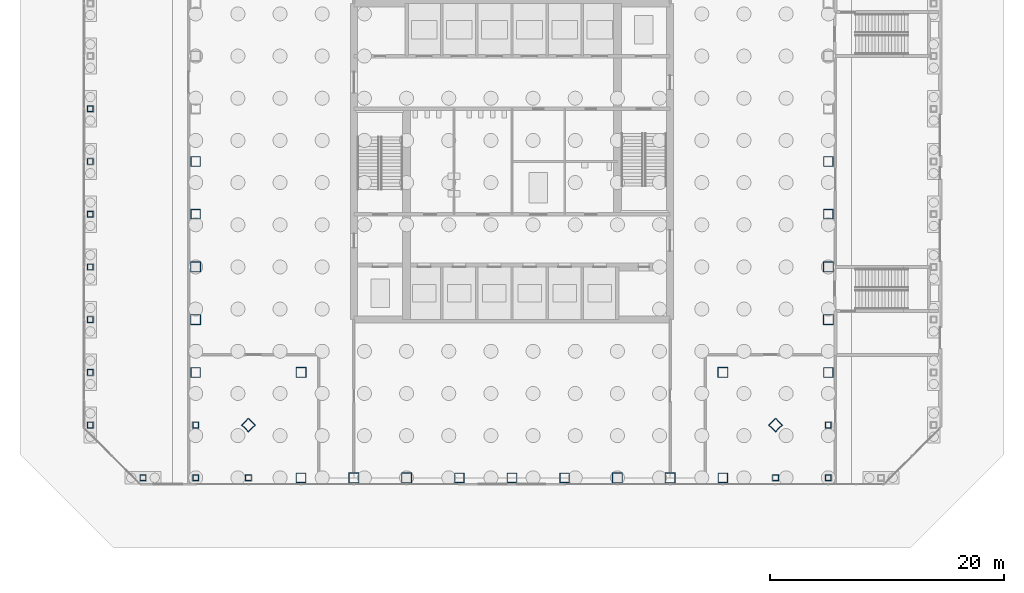
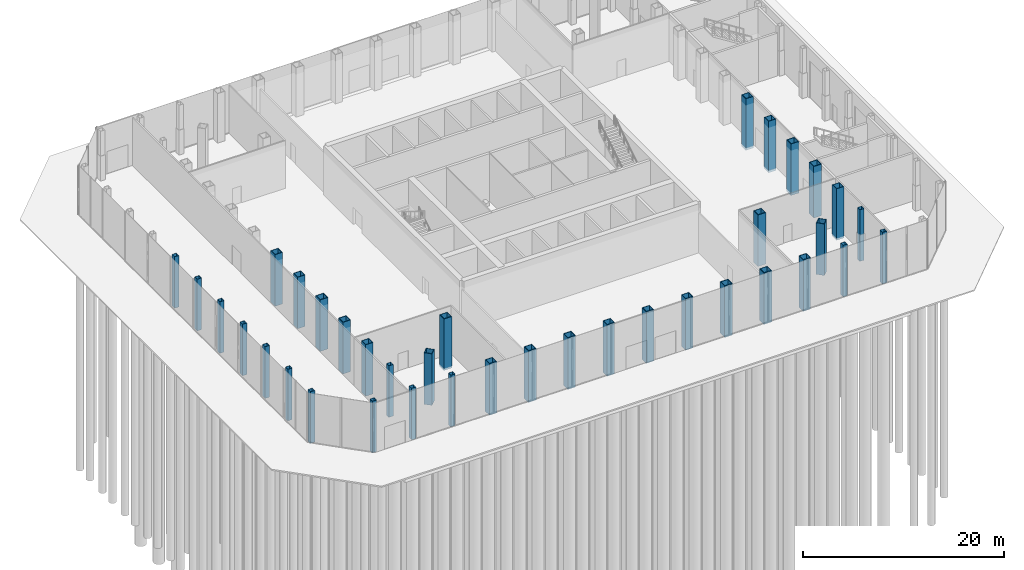
# One storey, part 3 of 24: 37 columns.
"""IFC4 building model written with IfcOpenShell, lengths in metres."""

import ifcopenshell
import ifcopenshell.guid

model = None  # the IFC model being written
_history = None  # IfcOwnerHistory: only IFC2X3 demands one
_inside = {}  # id of a spatial element -> (the spatial element, [elements in it])
_under = {}  # id of a project, library or spatial element -> (it, [spatial elements below it])
_declared = {}  # id of a project -> (the project, [libraries it declares])
_typed = {}  # id of a type object -> (the type object, [elements of that type])
_made_of = {}  # id of a material, layer set ... -> (it, [elements and type objects made of it])


def new_model(schema):
    """Start an empty IFC model of exactly this schema.

    Asked for "IFC4X3", IfcOpenShell would pick the latest addendum, in which some entities
    have other attributes; the version numbers below select the first issue.
    IFC2X3 requires an IfcOwnerHistory on every rooted entity: one is made here for all.
    """
    global model, _history
    if schema == "IFC4X3":
        model = ifcopenshell.file(schema_version=(4, 3, 0, 0))
    else:
        model = ifcopenshell.file(schema=schema)
    _inside.clear()
    _under.clear()
    _declared.clear()
    _typed.clear()
    _made_of.clear()
    _history = None
    if model.schema == "IFC2X3":
        org = make("IfcOrganization", Name="unknown")
        user = make(
            "IfcPersonAndOrganization",
            ThePerson=make("IfcPerson", FamilyName="unknown"),
            TheOrganization=org,
        )
        app = make(
            "IfcApplication",
            ApplicationDeveloper=org,
            Version="unknown",
            ApplicationFullName="unknown",
            ApplicationIdentifier="unknown",
        )
        _history = make(
            "IfcOwnerHistory",
            OwningUser=user,
            OwningApplication=app,
            ChangeAction="ADDED",
            CreationDate=0,
        )
    return model


def make(cls, **values):
    """One entity of the class cls with the attributes given. An attribute that is None is left unset."""
    return model.create_entity(
        cls, **{name: value for name, value in values.items() if value is not None}
    )


def rooted(cls, **values):
    """An entity with a GlobalId (a new one), such as an element, a storey or a relation."""
    return make(cls, GlobalId=ifcopenshell.guid.new(), OwnerHistory=_history, **values)


def si_unit(unit_type, name, prefix=None):
    """IfcSIUnit, for example si_unit("LENGTHUNIT", "METRE", prefix="MILLI")."""
    return make("IfcSIUnit", UnitType=unit_type, Prefix=prefix, Name=name)


def assignment(units):
    """IfcUnitAssignment: the units of a project."""
    return None if units is None else make("IfcUnitAssignment", Units=units)


def point(xyz):
    """IfcCartesianPoint."""
    return None if xyz is None else make("IfcCartesianPoint", Coordinates=xyz)


def direction(xyz):
    """IfcDirection."""
    return None if xyz is None else make("IfcDirection", DirectionRatios=xyz)


def frame(location, z_axis=None, x_axis=None):
    """IfcAxis2Placement3D, a coordinate frame: its origin and axes. An axis left out is left unset."""
    return make(
        "IfcAxis2Placement3D",
        Location=point(location),
        Axis=direction(z_axis),
        RefDirection=direction(x_axis),
    )


def frame_2d(location, x_axis=None):
    """IfcAxis2Placement2D, a coordinate frame in the plane: its origin and x axis."""
    return make(
        "IfcAxis2Placement2D", Location=point(location), RefDirection=direction(x_axis)
    )


def origin():
    """The frame at (0, 0, 0) with its axes left unset."""
    return frame((0.0, 0.0, 0.0))


def origin_2d():
    """The frame at (0, 0) in the plane with its x axis left unset."""
    return frame_2d((0.0, 0.0))


def place(relative_to, where):
    """IfcLocalPlacement: puts the frame where relative to a parent placement (None: the world)."""
    return make(
        "IfcLocalPlacement", PlacementRelTo=relative_to, RelativePlacement=where
    )


def context(
    kind, dimensions, precision=None, world=None, true_north=None, identifier=None
):
    """IfcGeometricRepresentationContext, for example the 3D "Model" context."""
    return make(
        "IfcGeometricRepresentationContext",
        ContextIdentifier=identifier,
        ContextType=kind,
        CoordinateSpaceDimension=dimensions,
        Precision=precision,
        WorldCoordinateSystem=world,
        TrueNorth=true_north,
    )


def subcontext(parent, identifier, kind, view, scale=None):
    """IfcGeometricRepresentationSubContext, for example "Body" below "Model"."""
    return make(
        "IfcGeometricRepresentationSubContext",
        ContextIdentifier=identifier,
        ContextType=kind,
        ParentContext=parent,
        TargetScale=scale,
        TargetView=view,
    )


def project(units=None, contexts=None):
    """IfcProject with its units and contexts."""
    return rooted(
        "IfcProject",
        Name="project",
        RepresentationContexts=contexts,
        UnitsInContext=assignment(units),
    )


def spatial(cls, under=None, at=None, **own):
    """A site, building, storey or space (cls), placed at a placement, below another one or the project."""
    s = rooted(cls, ObjectPlacement=at, **own)
    if under is not None:
        _under.setdefault(under.id(), (under, []))[1].append(s)
    return s


def profile(cls, at=None, kind="AREA", **sizes):
    """A parametric profile (cls). Its sizes go by their IFC names, for example OverallWidth=200.0."""
    return make(cls, ProfileType=kind, Position=at, **sizes)


def hollow_rectangle(**sizes):
    """IfcRectangleHollowProfileDef."""
    return profile("IfcRectangleHollowProfileDef", **sizes)


def extrude(swept, where, along, depth):
    """IfcExtrudedAreaSolid: the profile swept, set in the frame where, extruded along a direction by depth."""
    return make(
        "IfcExtrudedAreaSolid",
        SweptArea=swept,
        Position=where,
        ExtrudedDirection=direction(along),
        Depth=depth,
    )


def shape(context_of_items, identifier, shape_type, items):
    """IfcShapeRepresentation: the items that make up one representation, for example the "Body"."""
    return make(
        "IfcShapeRepresentation",
        ContextOfItems=context_of_items,
        RepresentationIdentifier=identifier,
        RepresentationType=shape_type,
        Items=items,
    )


def material(Name=None, Category=None):
    """IfcMaterial."""
    return make("IfcMaterial", Name=Name, Category=Category)


def material_profile(
    of_material, cross_section, Name=None, Category=None, Priority=None
):
    """IfcMaterialProfile: a cross section and its material."""
    return make(
        "IfcMaterialProfile",
        Name=Name,
        Material=of_material,
        Profile=cross_section,
        Priority=Priority,
        Category=Category,
    )


def profile_set(profiles, Name=None, composite=None):
    """IfcMaterialProfileSet."""
    return make(
        "IfcMaterialProfileSet",
        Name=Name,
        MaterialProfiles=profiles,
        CompositeProfile=composite,
    )


def made_of(thing, what):
    """Note that an element or type object is made of a material, layer set ...; save() writes the relation."""
    if what is not None:
        _made_of.setdefault(what.id(), (what, []))[1].append(thing)
    return thing


def type_object(cls, material=None, **own):
    """A type object (cls), such as IfcWallType, which elements share."""
    return made_of(rooted(cls, **own), material)


def element(
    cls,
    number,
    at=None,
    inside=None,
    cuts=None,
    type_object=None,
    material=None,
    context=None,
    identifier="Body",
    shape_type=None,
    held_by="IfcProductDefinitionShape",
    body=None,
    shapes=None,
    **own,
):
    """One element of the class cls, such as IfcWall. Its Tag is "e" and its number.

    at: its placement. inside: the storey or other place that contains it. cuts: it is an
    opening in that element (IfcRelVoidsElement). A single representation is given by context,
    identifier, shape_type and body (its items); several are given by shapes. held_by: the class
    of the entity that holds the representations. save() writes the other relations.
    """
    e = rooted(cls, Tag="e%d" % number, ObjectPlacement=at, **own)
    if body is not None:
        shapes = [shape(context, identifier, shape_type, body)]
    if shapes is not None:
        e.Representation = make(held_by, Representations=shapes)
    if inside is not None:
        _inside.setdefault(inside.id(), (inside, []))[1].append(e)
    if cuts is not None:
        rooted(
            "IfcRelVoidsElement", RelatingBuildingElement=cuts, RelatedOpeningElement=e
        )
    if type_object is not None:
        _typed.setdefault(type_object.id(), (type_object, []))[1].append(e)
    return made_of(e, material)


def aggregate(whole, parts):
    """IfcRelAggregates: a whole, such as a stair, and the parts it consists of."""
    return rooted("IfcRelAggregates", RelatingObject=whole, RelatedObjects=parts)


def save(model, path):
    """Write the relations noted so far, then the file.

    IfcRelAggregates (storeys below a building ...), IfcRelContainedInSpatialStructure (elements
    in a storey), IfcRelDefinesByType, IfcRelAssociatesMaterial and IfcRelDeclares: one each for
    every whole, place, type object, material and project.
    """
    for whole, parts in _under.values():
        aggregate(whole, parts)
    for where, things in _inside.values():
        rooted(
            "IfcRelContainedInSpatialStructure",
            RelatedElements=things,
            RelatingStructure=where,
        )
    for kind, things in _typed.values():
        rooted("IfcRelDefinesByType", RelatedObjects=things, RelatingType=kind)
    for what, things in _made_of.values():
        rooted("IfcRelAssociatesMaterial", RelatedObjects=things, RelatingMaterial=what)
    for by, libraries in _declared.values():
        rooted("IfcRelDeclares", RelatingContext=by, RelatedDefinitions=libraries)
    model.write(path)


model = new_model("IFC4")

# Units and contexts
model_context = context("Model", 3, precision=1e-05, world=origin(), true_north=direction((0.0, 1.0)))
body_context = subcontext(model_context, "Body", "Model", "MODEL_VIEW")
ifc_project = project(units=[si_unit("LENGTHUNIT", "METRE"), si_unit("AREAUNIT", "SQUARE_METRE"), si_unit("VOLUMEUNIT", "CUBIC_METRE"), si_unit("PLANEANGLEUNIT", "RADIAN"), si_unit("MASSUNIT", "GRAM", prefix="KILO")], contexts=[model_context])

# Site, building, storey
site_placement = place(None, origin())
site = spatial("IfcSite", under=ifc_project, at=site_placement, CompositionType="ELEMENT")
building_placement = place(site_placement, origin())
building = spatial("IfcBuilding", under=site, at=building_placement, Name="Corais Broadcast Tower", CompositionType="ELEMENT")
storey_placement = place(building_placement, origin())
storey = spatial("IfcBuildingStorey", under=building, at=storey_placement, Name="L00", CompositionType="ELEMENT", Elevation=0.0)

# Columns
ifc_material_1 = material(Name="Steel ASTM A572 Grade 50", Category="steel")
ifc_material_profile_1 = material_profile(ifc_material_1, hollow_rectangle(XDim=0.5, YDim=0.5, WallThickness=0.02197265625, at=origin_2d()), Name="BOX 500x500x22")
ifc_profile_set_1 = profile_set([ifc_material_profile_1], Name="Steel ASTM A572 Grade 50")
column_type_1 = type_object("IfcColumnType", Name="Column BOX 500x500x22", PredefinedType="COLUMN", material=ifc_profile_set_1)
for number, where, z_axis, x_axis, name in (
    (1, (-9.0, 4.5, -0.25), (0.0, 0.0, 1.0), (1.0, 0.0, 0.0), "C9 B/1"),
    (2, (-9.0, 9.0, -0.25), (0.0, 0.0, 1.0), (1.0, 0.0, 0.0), "C9 C/1"),
    (3, (-9.0, 13.5, -0.25), (0.0, 0.0, 1.0), (1.0, 0.0, 0.0), "C9 D/1"),
    (4, (-9.0, 18.0, -0.25), (0.0, 0.0, 1.0), (1.0, 0.0, 0.0), "C9 E/1"),
    (5, (-9.0, 22.5, -0.25), (0.0, 0.0, 1.0), (1.0, 0.0, 0.0), "C9 F/1"),
    (6, (-9.0, 27.0, -0.25), (0.0, 0.0, 1.0), (1.0, 0.0, 0.0), "C9 G/1"),
    (7, (-9.0, 31.5, -0.25), (0.0, 0.0, 1.0), (1.0, 0.0, 0.0), "C9 H/1"),
    (8, (-4.5, 0.0, -0.25), (0.0, 0.0, 1.0), (1.0, 0.0, 0.0), "C9 A/2"),
    (9, (0.0, 0.0, -0.25), (0.0, 0.0, 1.0), (1.0, 0.0, 0.0), "C9 A/3"),
    (10, (4.5, 0.0, -0.25), (0.0, 0.0, 1.0), (1.0, 0.0, 0.0), "C9 A/4"),
    (11, (0.0, 4.5, -0.25), (0.0, 0.0, 1.0), (1.0, 0.0, 0.0), "C9 B/3"),
    (12, (54.0, 0.0, -0.25), (0.0, 0.0, 1.0), (1.0, 0.0, 0.0), "C9 A/15"),
    (13, (49.5, 0.0, -0.25), (0.0, 0.0, 1.0), (1.0, 0.0, 0.0), "C9 A/14"),
    (14, (54.0, 4.5, -0.25), (0.0, 0.0, 1.0), (1.0, 0.0, 0.0), "C9 B/15"),
):
    element("IfcColumn", number, at=place(storey_placement, frame(where, z_axis=z_axis, x_axis=x_axis)), inside=storey, type_object=column_type_1, Name=name, PredefinedType="COLUMN", context=body_context, shape_type="SweptSolid", body=[
        extrude(hollow_rectangle(XDim=0.5, YDim=0.5, WallThickness=0.02197265625, at=origin_2d()), origin(), (0.0, 0.0, 1.0), 6.25),
    ])
ifc_material_2 = material(Name="Steel ASTM A572 Grade 50", Category="steel")
ifc_material_profile_2 = material_profile(ifc_material_2, hollow_rectangle(XDim=0.85009765625, YDim=0.85009765625, WallThickness=0.050048828125, at=origin_2d()), Name="BOX 850x850x50")
ifc_profile_set_2 = profile_set([ifc_material_profile_2], Name="Steel ASTM A572 Grade 50")
column_type_2 = type_object("IfcColumnType", Name="Column BOX 850x850x50", PredefinedType="COLUMN", material=ifc_profile_set_2)
for number, where, z_axis, x_axis, name in (
    (15, (9.0, 0.0, -0.25), (0.0, 0.0, 1.0), (1.0, 0.0, 0.0), "C1 A/5"),
    (16, (22.5, 0.0, -0.25), (0.0, 0.0, 1.0), (1.0, 0.0, 0.0), "C1 A/8"),
    (17, (27.0, 0.0, -0.25), (0.0, 0.0, 1.0), (1.0, 0.0, 0.0), "C1 A/9"),
    (18, (31.5, 0.0, -0.25), (0.0, 0.0, 1.0), (1.0, 0.0, 0.0), "C1 A/10"),
    (19, (45.0, 0.0, -0.25), (0.0, 0.0, 1.0), (1.0, 0.0, 0.0), "C1 A/13"),
    (20, (54.0, 9.0, -0.25), (0.0, 0.0, 1.0), (1.0, 0.0, 0.0), "C1 C/15"),
    (21, (54.0, 22.5, -0.25), (0.0, 0.0, 1.0), (1.0, 0.0, 0.0), "C1 F/15"),
    (22, (54.0, 27.0, -0.25), (0.0, 0.0, 1.0), (1.0, 0.0, 0.0), "C1 G/15"),
    (23, (0.0, 27.0, -0.25), (0.0, 0.0, 1.0), (1.0, 0.0, 0.0), "C1 G/3"),
    (24, (0.0, 22.5, -0.25), (0.0, 0.0, 1.0), (1.0, 0.0, 0.0), "C1 F/3"),
    (25, (0.0, 9.0, -0.25), (0.0, 0.0, 1.0), (1.0, 0.0, 0.0), "C1 C/3"),
    (26, (4.5, 4.5, -0.25), (0.0, 0.0, 1.0), (0.707106781187, 0.707106781187, 0.0), "C1 B/4"),
    (27, (49.5, 4.5, -0.25), (0.0, 0.0, 1.0), (0.707106781187, 0.707106781187, 0.0), "C1 B/14"),
):
    element("IfcColumn", number, at=place(storey_placement, frame(where, z_axis=z_axis, x_axis=x_axis)), inside=storey, type_object=column_type_2, Name=name, PredefinedType="COLUMN", context=body_context, shape_type="SweptSolid", body=[
        extrude(hollow_rectangle(XDim=0.85009765625, YDim=0.85009765625, WallThickness=0.050048828125, at=origin_2d()), origin(), (0.0, 0.0, 1.0), 6.25),
    ])
ifc_material_3 = material(Name="Steel ASTM A572 Grade 50", Category="steel")
ifc_material_profile_3 = material_profile(ifc_material_3, hollow_rectangle(XDim=0.89990234375, YDim=0.89990234375, WallThickness=0.06298828125, at=origin_2d()), Name="BOX 900x900x63")
ifc_profile_set_3 = profile_set([ifc_material_profile_3], Name="Steel ASTM A572 Grade 50")
column_type_3 = type_object("IfcColumnType", Name="Column BOX 900x900x63", PredefinedType="COLUMN", material=ifc_profile_set_3)
for number, where, z_axis, x_axis, name in (
    (28, (13.5, 0.0, -0.25), (0.0, 0.0, 1.0), (1.0, 0.0, 0.0), "C2 A/6"),
    (29, (18.0, 0.0, -0.25), (0.0, 0.0, 1.0), (1.0, 0.0, 0.0), "C2 A/7"),
    (30, (36.0, 0.0, -0.25), (0.0, 0.0, 1.0), (1.0, 0.0, 0.0), "C2 A/11"),
    (31, (40.5, 0.0, -0.25), (0.0, 0.0, 1.0), (1.0, 0.0, 0.0), "C2 A/12"),
    (32, (54.0, 13.5, -0.25), (0.0, 0.0, 1.0), (1.0, 0.0, 0.0), "C2 D/15"),
    (33, (54.0, 18.0, -0.25), (0.0, 0.0, 1.0), (1.0, 0.0, 0.0), "C2 E/15"),
    (34, (0.0, 18.0, -0.25), (0.0, 0.0, 1.0), (1.0, 0.0, 0.0), "C2 E/3"),
    (35, (0.0, 13.5, -0.25), (0.0, 0.0, 1.0), (1.0, 0.0, 0.0), "C2 D/3"),
    (36, (9.0, 9.0, -0.25), (0.0, 0.0, 1.0), (1.0, 0.0, 0.0), "C2 C/5"),
    (37, (45.0, 9.0, -0.25), (0.0, 0.0, 1.0), (1.0, 0.0, 0.0), "C2 C/13"),
):
    element("IfcColumn", number, at=place(storey_placement, frame(where, z_axis=z_axis, x_axis=x_axis)), inside=storey, type_object=column_type_3, Name=name, PredefinedType="COLUMN", context=body_context, shape_type="SweptSolid", body=[
        extrude(hollow_rectangle(XDim=0.89990234375, YDim=0.89990234375, WallThickness=0.06298828125, at=origin_2d()), origin(), (0.0, 0.0, 1.0), 6.25),
    ])

save(model, "model.ifc")
